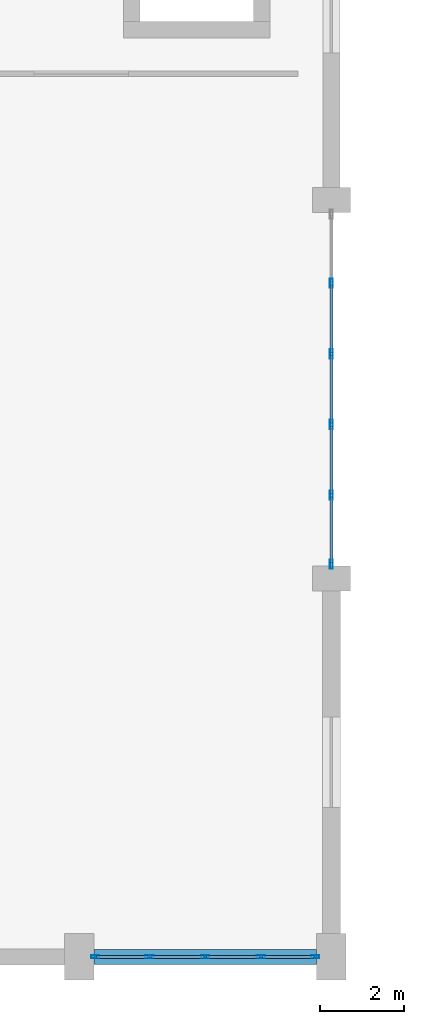
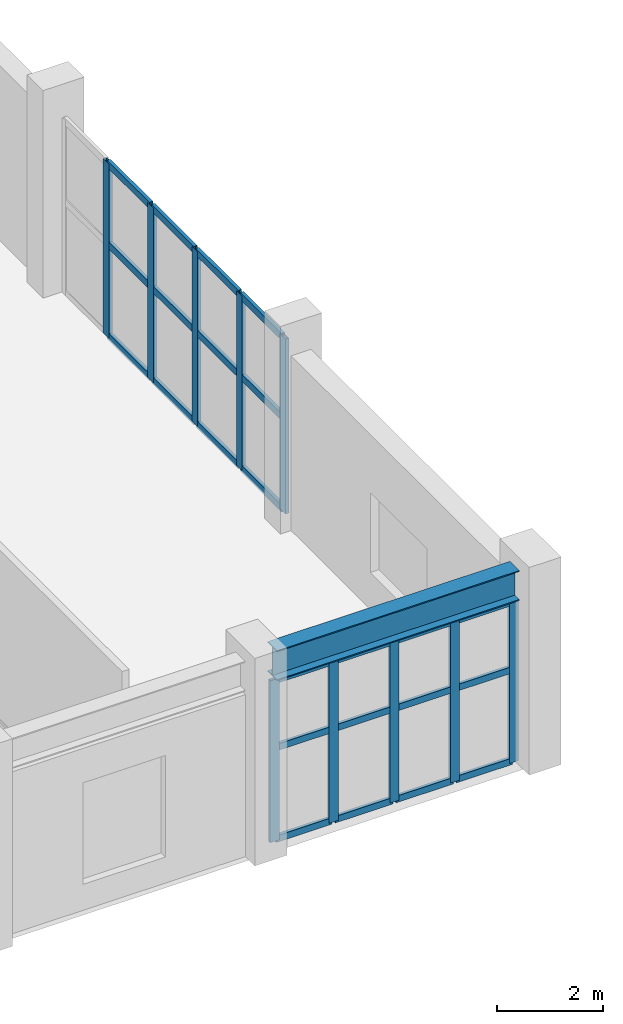
# One storey, part 15 of 62: 34 members, 1 beam, 2 elements without a shape of their own.
"""IFC4 building model written with IfcOpenShell, lengths in metres."""

from ifc_helpers import new_model, si_unit, direction, frame, origin, origin_2d, place, context, subcontext, project, spatial, hollow_rectangle, i_section, extrude, material, layer, layer_set, material_profile, profile_set, type_object, element, aggregate, save


model = new_model("IFC4")

# Units and contexts
model_context = context("Model", 3, precision=1e-05, world=origin(), true_north=direction((0.0, 1.0)))
body_context = subcontext(model_context, "Body", "Model", "MODEL_VIEW")
ifc_project = project(units=[si_unit("LENGTHUNIT", "METRE"), si_unit("AREAUNIT", "SQUARE_METRE"), si_unit("VOLUMEUNIT", "CUBIC_METRE"), si_unit("PLANEANGLEUNIT", "RADIAN"), si_unit("MASSUNIT", "GRAM", prefix="KILO")], contexts=[model_context])

# Site, building, storey
site_placement = place(None, origin())
site = spatial("IfcSite", under=ifc_project, at=site_placement, CompositionType="ELEMENT")
building_placement = place(site_placement, origin())
building = spatial("IfcBuilding", under=site, at=building_placement, Name="Vaelkrest Opera House", CompositionType="ELEMENT")
storey_placement = place(building_placement, frame((0.0, 0.0, 19.800048828125)))
storey = spatial("IfcBuildingStorey", under=building, at=storey_placement, Name="L04", CompositionType="ELEMENT", Elevation=19.800048828125)

# Curtain wall, members
ifc_material_1 = material(Name="Dark bronze anodized aluminium", Category="aluminium")
ifc_layer_1 = layer(ifc_material_1, 0.18994140625)
ifc_layer_set_1 = layer_set([ifc_layer_1], Name="Dark bronze anodized aluminium")
curtain_wall_type_1 = type_object("IfcCurtainWallType", Name="CW02", PredefinedType="NOTDEFINED", material=ifc_layer_set_1)
curtain_wall_1_placement = place(storey_placement, origin())
curtain_wall_1 = element("IfcCurtainWall", 1, at=curtain_wall_1_placement, inside=storey, type_object=curtain_wall_type_1, Name="Curtain wall CW-L04-055", PredefinedType="NOTDEFINED")
ifc_material_profile_1 = material_profile(ifc_material_1, hollow_rectangle(XDim=0.070068359375, YDim=0.199951171875, WallThickness=0.004150390625, at=origin_2d()), Name="CWM70X200")
ifc_profile_set_1 = profile_set([ifc_material_profile_1], Name="Dark bronze anodized aluminium")
member_type_1 = type_object("IfcMemberType", Name="CWM02", PredefinedType="MULLION", material=ifc_profile_set_1)
member_1_placement = place(storey_placement, frame((29.616943359375, -55.800048828125, 0.0), z_axis=(0.0, 0.0, 1.0), x_axis=(0.0, -1.0, 0.0)))
member_1 = element("IfcMember", 2, at=member_1_placement, type_object=member_type_1, Name="CW02 mullion 1", PredefinedType="MULLION", context=body_context, shape_type="SweptSolid", body=[
    extrude(hollow_rectangle(XDim=0.070068359375, YDim=0.199951171875, WallThickness=0.004150390625, at=origin_2d()), origin(), (0.0, 0.0, 1.0), 3.744873046875),
])
member_2_placement = place(storey_placement, frame((28.325927734375, -55.800048828125, 0.0), z_axis=(0.0, 0.0, 1.0), x_axis=(0.0, -1.0, 0.0)))
member_2 = element("IfcMember", 3, at=member_2_placement, type_object=member_type_1, Name="CW02 mullion 2", PredefinedType="MULLION", context=body_context, shape_type="SweptSolid", body=[
    extrude(hollow_rectangle(XDim=0.070068359375, YDim=0.199951171875, WallThickness=0.004150390625, at=origin_2d()), origin(), (0.0, 0.0, 1.0), 3.744873046875),
])
member_3_placement = place(storey_placement, frame((27.0, -55.800048828125, 0.0), z_axis=(0.0, 0.0, 1.0), x_axis=(0.0, -1.0, 0.0)))
member_3 = element("IfcMember", 4, at=member_3_placement, type_object=member_type_1, Name="CW02 mullion 3", PredefinedType="MULLION", context=body_context, shape_type="SweptSolid", body=[
    extrude(hollow_rectangle(XDim=0.070068359375, YDim=0.199951171875, WallThickness=0.004150390625, at=origin_2d()), origin(), (0.0, 0.0, 1.0), 3.744873046875),
])
member_4_placement = place(storey_placement, frame((25.674072265625, -55.800048828125, 0.0), z_axis=(0.0, 0.0, 1.0), x_axis=(0.0, -1.0, 0.0)))
member_4 = element("IfcMember", 5, at=member_4_placement, type_object=member_type_1, Name="CW02 mullion 4", PredefinedType="MULLION", context=body_context, shape_type="SweptSolid", body=[
    extrude(hollow_rectangle(XDim=0.070068359375, YDim=0.199951171875, WallThickness=0.004150390625, at=origin_2d()), origin(), (0.0, 0.0, 1.0), 3.744873046875),
])
member_5_placement = place(storey_placement, frame((24.383056640625, -55.800048828125, 0.0), z_axis=(0.0, 0.0, 1.0), x_axis=(0.0, -1.0, 0.0)))
member_5 = element("IfcMember", 6, at=member_5_placement, type_object=member_type_1, Name="CW02 mullion 5", PredefinedType="MULLION", context=body_context, shape_type="SweptSolid", body=[
    extrude(hollow_rectangle(XDim=0.070068359375, YDim=0.199951171875, WallThickness=0.004150390625, at=origin_2d()), origin(), (0.0, 0.0, 1.0), 3.744873046875),
])

ifc_layer_2 = layer(ifc_material_1, 0.199951171875)
ifc_layer_set_2 = layer_set([ifc_layer_2], Name="Dark bronze anodized aluminium")
curtain_wall_type_2 = type_object("IfcCurtainWallType", Name="CW03", PredefinedType="NOTDEFINED", material=ifc_layer_set_2)
curtain_wall_2_placement = place(storey_placement, origin())
curtain_wall_2 = element("IfcCurtainWall", 7, at=curtain_wall_2_placement, inside=storey, type_object=curtain_wall_type_2, Name="Curtain wall CW-L04-067", PredefinedType="NOTDEFINED")
ifc_material_profile_2 = material_profile(ifc_material_1, hollow_rectangle(XDim=0.074951171875, YDim=0.219970703125, WallThickness=0.00439453125, at=origin_2d()), Name="CWM75X220")
ifc_profile_set_2 = profile_set([ifc_material_profile_2], Name="Dark bronze anodized aluminium")
member_type_2 = type_object("IfcMemberType", Name="CWM03", PredefinedType="MULLION", material=ifc_profile_set_2)
member_6_placement = place(storey_placement, frame((30.0, -39.77880859375, 0.0), z_axis=(0.0, 0.0, 1.0), x_axis=(1.0, 0.0, 0.0)))
member_6 = element("IfcMember", 8, at=member_6_placement, type_object=member_type_2, Name="CW03 mullion 2", PredefinedType="MULLION", context=body_context, shape_type="SweptSolid", body=[
    extrude(hollow_rectangle(XDim=0.074951171875, YDim=0.219970703125, WallThickness=0.00439453125, at=origin_2d()), origin(), (0.0, 0.0, 1.0), 4.04296875),
])
member_7_placement = place(storey_placement, frame((30.0, -41.459716796875, 0.0), z_axis=(0.0, 0.0, 1.0), x_axis=(1.0, 0.0, 0.0)))
member_7 = element("IfcMember", 9, at=member_7_placement, type_object=member_type_2, Name="CW03 mullion 3", PredefinedType="MULLION", context=body_context, shape_type="SweptSolid", body=[
    extrude(hollow_rectangle(XDim=0.074951171875, YDim=0.219970703125, WallThickness=0.00439453125, at=origin_2d()), origin(), (0.0, 0.0, 1.0), 4.04296875),
])
member_8_placement = place(storey_placement, frame((30.0, -43.140380859375, 0.0), z_axis=(0.0, 0.0, 1.0), x_axis=(1.0, 0.0, 0.0)))
member_8 = element("IfcMember", 10, at=member_8_placement, type_object=member_type_2, Name="CW03 mullion 4", PredefinedType="MULLION", context=body_context, shape_type="SweptSolid", body=[
    extrude(hollow_rectangle(XDim=0.074951171875, YDim=0.219970703125, WallThickness=0.00439453125, at=origin_2d()), origin(), (0.0, 0.0, 1.0), 4.04296875),
])
member_9_placement = place(storey_placement, frame((30.0, -44.8212890625, 0.0), z_axis=(0.0, 0.0, 1.0), x_axis=(1.0, 0.0, 0.0)))
member_9 = element("IfcMember", 11, at=member_9_placement, type_object=member_type_2, Name="CW03 mullion 5", PredefinedType="MULLION", context=body_context, shape_type="SweptSolid", body=[
    extrude(hollow_rectangle(XDim=0.074951171875, YDim=0.219970703125, WallThickness=0.00439453125, at=origin_2d()), origin(), (0.0, 0.0, 1.0), 4.04296875),
])
member_10_placement = place(storey_placement, frame((30.0, -46.464599609375, 0.0), z_axis=(0.0, 0.0, 1.0), x_axis=(1.0, 0.0, 0.0)))
member_10 = element("IfcMember", 12, at=member_10_placement, type_object=member_type_2, Name="CW03 mullion 6", PredefinedType="MULLION", context=body_context, shape_type="SweptSolid", body=[
    extrude(hollow_rectangle(XDim=0.074951171875, YDim=0.219970703125, WallThickness=0.00439453125, at=origin_2d()), origin(), (0.0, 0.0, 1.0), 4.04296875),
])

# Member
ifc_material_profile_3 = material_profile(ifc_material_1, hollow_rectangle(XDim=0.070068359375, YDim=0.14990234375, WallThickness=0.004150390625, at=origin_2d()), Name="CWT70X150")
ifc_profile_set_3 = profile_set([ifc_material_profile_3], Name="Dark bronze anodized aluminium")
member_type_3 = type_object("IfcMemberType", Name="CWT02", PredefinedType="USERDEFINED", material=ifc_profile_set_3)
member_11_placement = place(storey_placement, frame((29.58203125, -55.800048828125, 0.034912109375), z_axis=(-1.0, 0.0, 0.0), x_axis=(0.0, -1.0, 0.0)))
member_11 = element("IfcMember", 13, at=member_11_placement, type_object=member_type_3, Name="CW02 transom 1.1", ObjectType="TRANSOM", PredefinedType="USERDEFINED", context=body_context, shape_type="SweptSolid", body=[
    extrude(hollow_rectangle(XDim=0.070068359375, YDim=0.14990234375, WallThickness=0.004150390625, at=origin_2d()), origin(), (0.0, 0.0, 1.0), 1.220947265625),
])

member_12_placement = place(storey_placement, frame((29.58203125, -55.800048828125, 2.14990234375), z_axis=(-1.0, 0.0, 0.0), x_axis=(0.0, -1.0, 0.0)))
member_12 = element("IfcMember", 14, at=member_12_placement, type_object=member_type_3, Name="CW02 transom 1.2", ObjectType="TRANSOM", PredefinedType="USERDEFINED", context=body_context, shape_type="SweptSolid", body=[
    extrude(hollow_rectangle(XDim=0.070068359375, YDim=0.14990234375, WallThickness=0.004150390625, at=origin_2d()), origin(), (0.0, 0.0, 1.0), 1.220947265625),
])

member_13_placement = place(storey_placement, frame((29.58203125, -55.800048828125, 3.7099609375), z_axis=(-1.0, 0.0, 0.0), x_axis=(0.0, -1.0, 0.0)))
member_13 = element("IfcMember", 15, at=member_13_placement, type_object=member_type_3, Name="CW02 transom 1.3", ObjectType="TRANSOM", PredefinedType="USERDEFINED", context=body_context, shape_type="SweptSolid", body=[
    extrude(hollow_rectangle(XDim=0.070068359375, YDim=0.14990234375, WallThickness=0.004150390625, at=origin_2d()), origin(), (0.0, 0.0, 1.0), 1.220947265625),
])

member_14_placement = place(storey_placement, frame((28.291015625, -55.800048828125, 0.034912109375), z_axis=(-1.0, 0.0, 0.0), x_axis=(0.0, -1.0, 0.0)))
member_14 = element("IfcMember", 16, at=member_14_placement, type_object=member_type_3, Name="CW02 transom 2.1", ObjectType="TRANSOM", PredefinedType="USERDEFINED", context=body_context, shape_type="SweptSolid", body=[
    extrude(hollow_rectangle(XDim=0.070068359375, YDim=0.14990234375, WallThickness=0.004150390625, at=origin_2d()), origin(), (0.0, 0.0, 1.0), 1.256103515625),
])

member_15_placement = place(storey_placement, frame((28.291015625, -55.800048828125, 2.14990234375), z_axis=(-1.0, 0.0, 0.0), x_axis=(0.0, -1.0, 0.0)))
member_15 = element("IfcMember", 17, at=member_15_placement, type_object=member_type_3, Name="CW02 transom 2.2", ObjectType="TRANSOM", PredefinedType="USERDEFINED", context=body_context, shape_type="SweptSolid", body=[
    extrude(hollow_rectangle(XDim=0.070068359375, YDim=0.14990234375, WallThickness=0.004150390625, at=origin_2d()), origin(), (0.0, 0.0, 1.0), 1.256103515625),
])

member_16_placement = place(storey_placement, frame((28.291015625, -55.800048828125, 3.7099609375), z_axis=(-1.0, 0.0, 0.0), x_axis=(0.0, -1.0, 0.0)))
member_16 = element("IfcMember", 18, at=member_16_placement, type_object=member_type_3, Name="CW02 transom 2.3", ObjectType="TRANSOM", PredefinedType="USERDEFINED", context=body_context, shape_type="SweptSolid", body=[
    extrude(hollow_rectangle(XDim=0.070068359375, YDim=0.14990234375, WallThickness=0.004150390625, at=origin_2d()), origin(), (0.0, 0.0, 1.0), 1.256103515625),
])

member_17_placement = place(storey_placement, frame((26.965087890625, -55.800048828125, 0.034912109375), z_axis=(-1.0, 0.0, 0.0), x_axis=(0.0, -1.0, 0.0)))
member_17 = element("IfcMember", 19, at=member_17_placement, type_object=member_type_3, Name="CW02 transom 3.1", ObjectType="TRANSOM", PredefinedType="USERDEFINED", context=body_context, shape_type="SweptSolid", body=[
    extrude(hollow_rectangle(XDim=0.070068359375, YDim=0.14990234375, WallThickness=0.004150390625, at=origin_2d()), origin(), (0.0, 0.0, 1.0), 1.256103515625),
])

member_18_placement = place(storey_placement, frame((26.965087890625, -55.800048828125, 2.14990234375), z_axis=(-1.0, 0.0, 0.0), x_axis=(0.0, -1.0, 0.0)))
member_18 = element("IfcMember", 20, at=member_18_placement, type_object=member_type_3, Name="CW02 transom 3.2", ObjectType="TRANSOM", PredefinedType="USERDEFINED", context=body_context, shape_type="SweptSolid", body=[
    extrude(hollow_rectangle(XDim=0.070068359375, YDim=0.14990234375, WallThickness=0.004150390625, at=origin_2d()), origin(), (0.0, 0.0, 1.0), 1.256103515625),
])

member_19_placement = place(storey_placement, frame((26.965087890625, -55.800048828125, 3.7099609375), z_axis=(-1.0, 0.0, 0.0), x_axis=(0.0, -1.0, 0.0)))
member_19 = element("IfcMember", 21, at=member_19_placement, type_object=member_type_3, Name="CW02 transom 3.3", ObjectType="TRANSOM", PredefinedType="USERDEFINED", context=body_context, shape_type="SweptSolid", body=[
    extrude(hollow_rectangle(XDim=0.070068359375, YDim=0.14990234375, WallThickness=0.004150390625, at=origin_2d()), origin(), (0.0, 0.0, 1.0), 1.256103515625),
])

member_20_placement = place(storey_placement, frame((25.638916015625, -55.800048828125, 0.034912109375), z_axis=(-1.0, 0.0, 0.0), x_axis=(0.0, -1.0, 0.0)))
member_20 = element("IfcMember", 22, at=member_20_placement, type_object=member_type_3, Name="CW02 transom 4.1", ObjectType="TRANSOM", PredefinedType="USERDEFINED", context=body_context, shape_type="SweptSolid", body=[
    extrude(hollow_rectangle(XDim=0.070068359375, YDim=0.14990234375, WallThickness=0.004150390625, at=origin_2d()), origin(), (0.0, 0.0, 1.0), 1.220947265625),
])

member_21_placement = place(storey_placement, frame((25.638916015625, -55.800048828125, 2.14990234375), z_axis=(-1.0, 0.0, 0.0), x_axis=(0.0, -1.0, 0.0)))
member_21 = element("IfcMember", 23, at=member_21_placement, type_object=member_type_3, Name="CW02 transom 4.2", ObjectType="TRANSOM", PredefinedType="USERDEFINED", context=body_context, shape_type="SweptSolid", body=[
    extrude(hollow_rectangle(XDim=0.070068359375, YDim=0.14990234375, WallThickness=0.004150390625, at=origin_2d()), origin(), (0.0, 0.0, 1.0), 1.220947265625),
])

member_22_placement = place(storey_placement, frame((25.638916015625, -55.800048828125, 3.7099609375), z_axis=(-1.0, 0.0, 0.0), x_axis=(0.0, -1.0, 0.0)))
member_22 = element("IfcMember", 24, at=member_22_placement, type_object=member_type_3, Name="CW02 transom 4.3", ObjectType="TRANSOM", PredefinedType="USERDEFINED", context=body_context, shape_type="SweptSolid", body=[
    extrude(hollow_rectangle(XDim=0.070068359375, YDim=0.14990234375, WallThickness=0.004150390625, at=origin_2d()), origin(), (0.0, 0.0, 1.0), 1.220947265625),
])

aggregate(curtain_wall_1, [member_1, member_2, member_3, member_4, member_5, member_11, member_12, member_13, member_14, member_15, member_16, member_17, member_18, member_19, member_20, member_21, member_22])

ifc_material_profile_4 = material_profile(ifc_material_1, hollow_rectangle(XDim=0.074951171875, YDim=0.159912109375, WallThickness=0.00439453125, at=origin_2d()), Name="CWT75X160")
ifc_profile_set_4 = profile_set([ifc_material_profile_4], Name="Dark bronze anodized aluminium")
member_type_4 = type_object("IfcMemberType", Name="CWT03", PredefinedType="USERDEFINED", material=ifc_profile_set_4)
member_23_placement = place(storey_placement, frame((30.0, -39.81640625, 0.037353515625), z_axis=(0.0, -1.0, 0.0), x_axis=(1.0, 0.0, 0.0)))
member_23 = element("IfcMember", 25, at=member_23_placement, type_object=member_type_4, Name="CW03 transom 2.1", ObjectType="TRANSOM", PredefinedType="USERDEFINED", context=body_context, shape_type="SweptSolid", body=[
    extrude(hollow_rectangle(XDim=0.074951171875, YDim=0.159912109375, WallThickness=0.00439453125, at=origin_2d()), origin(), (0.0, 0.0, 1.0), 1.605712890625),
])

member_24_placement = place(storey_placement, frame((30.0, -39.81640625, 2.14990234375), z_axis=(0.0, -1.0, 0.0), x_axis=(1.0, 0.0, 0.0)))
member_24 = element("IfcMember", 26, at=member_24_placement, type_object=member_type_4, Name="CW03 transom 2.2", ObjectType="TRANSOM", PredefinedType="USERDEFINED", context=body_context, shape_type="SweptSolid", body=[
    extrude(hollow_rectangle(XDim=0.074951171875, YDim=0.159912109375, WallThickness=0.00439453125, at=origin_2d()), origin(), (0.0, 0.0, 1.0), 1.605712890625),
])

member_25_placement = place(storey_placement, frame((30.0, -39.81640625, 4.00537109375), z_axis=(0.0, -1.0, 0.0), x_axis=(1.0, 0.0, 0.0)))
member_25 = element("IfcMember", 27, at=member_25_placement, type_object=member_type_4, Name="CW03 transom 2.3", ObjectType="TRANSOM", PredefinedType="USERDEFINED", context=body_context, shape_type="SweptSolid", body=[
    extrude(hollow_rectangle(XDim=0.074951171875, YDim=0.159912109375, WallThickness=0.00439453125, at=origin_2d()), origin(), (0.0, 0.0, 1.0), 1.605712890625),
])

member_26_placement = place(storey_placement, frame((30.0, -41.4970703125, 0.037353515625), z_axis=(0.0, -1.0, 0.0), x_axis=(1.0, 0.0, 0.0)))
member_26 = element("IfcMember", 28, at=member_26_placement, type_object=member_type_4, Name="CW03 transom 3.1", ObjectType="TRANSOM", PredefinedType="USERDEFINED", context=body_context, shape_type="SweptSolid", body=[
    extrude(hollow_rectangle(XDim=0.074951171875, YDim=0.159912109375, WallThickness=0.00439453125, at=origin_2d()), origin(), (0.0, 0.0, 1.0), 1.605712890625),
])

member_27_placement = place(storey_placement, frame((30.0, -41.4970703125, 2.14990234375), z_axis=(0.0, -1.0, 0.0), x_axis=(1.0, 0.0, 0.0)))
member_27 = element("IfcMember", 29, at=member_27_placement, type_object=member_type_4, Name="CW03 transom 3.2", ObjectType="TRANSOM", PredefinedType="USERDEFINED", context=body_context, shape_type="SweptSolid", body=[
    extrude(hollow_rectangle(XDim=0.074951171875, YDim=0.159912109375, WallThickness=0.00439453125, at=origin_2d()), origin(), (0.0, 0.0, 1.0), 1.605712890625),
])

member_28_placement = place(storey_placement, frame((30.0, -41.4970703125, 4.00537109375), z_axis=(0.0, -1.0, 0.0), x_axis=(1.0, 0.0, 0.0)))
member_28 = element("IfcMember", 30, at=member_28_placement, type_object=member_type_4, Name="CW03 transom 3.3", ObjectType="TRANSOM", PredefinedType="USERDEFINED", context=body_context, shape_type="SweptSolid", body=[
    extrude(hollow_rectangle(XDim=0.074951171875, YDim=0.159912109375, WallThickness=0.00439453125, at=origin_2d()), origin(), (0.0, 0.0, 1.0), 1.605712890625),
])

member_29_placement = place(storey_placement, frame((30.0, -43.177978515625, 0.037353515625), z_axis=(0.0, -1.0, 0.0), x_axis=(1.0, 0.0, 0.0)))
member_29 = element("IfcMember", 31, at=member_29_placement, type_object=member_type_4, Name="CW03 transom 4.1", ObjectType="TRANSOM", PredefinedType="USERDEFINED", context=body_context, shape_type="SweptSolid", body=[
    extrude(hollow_rectangle(XDim=0.074951171875, YDim=0.159912109375, WallThickness=0.00439453125, at=origin_2d()), origin(), (0.0, 0.0, 1.0), 1.605712890625),
])

member_30_placement = place(storey_placement, frame((30.0, -43.177978515625, 2.14990234375), z_axis=(0.0, -1.0, 0.0), x_axis=(1.0, 0.0, 0.0)))
member_30 = element("IfcMember", 32, at=member_30_placement, type_object=member_type_4, Name="CW03 transom 4.2", ObjectType="TRANSOM", PredefinedType="USERDEFINED", context=body_context, shape_type="SweptSolid", body=[
    extrude(hollow_rectangle(XDim=0.074951171875, YDim=0.159912109375, WallThickness=0.00439453125, at=origin_2d()), origin(), (0.0, 0.0, 1.0), 1.605712890625),
])

member_31_placement = place(storey_placement, frame((30.0, -43.177978515625, 4.00537109375), z_axis=(0.0, -1.0, 0.0), x_axis=(1.0, 0.0, 0.0)))
member_31 = element("IfcMember", 33, at=member_31_placement, type_object=member_type_4, Name="CW03 transom 4.3", ObjectType="TRANSOM", PredefinedType="USERDEFINED", context=body_context, shape_type="SweptSolid", body=[
    extrude(hollow_rectangle(XDim=0.074951171875, YDim=0.159912109375, WallThickness=0.00439453125, at=origin_2d()), origin(), (0.0, 0.0, 1.0), 1.605712890625),
])

member_32_placement = place(storey_placement, frame((30.0, -44.858642578125, 0.037353515625), z_axis=(0.0, -1.0, 0.0), x_axis=(1.0, 0.0, 0.0)))
member_32 = element("IfcMember", 34, at=member_32_placement, type_object=member_type_4, Name="CW03 transom 5.1", ObjectType="TRANSOM", PredefinedType="USERDEFINED", context=body_context, shape_type="SweptSolid", body=[
    extrude(hollow_rectangle(XDim=0.074951171875, YDim=0.159912109375, WallThickness=0.00439453125, at=origin_2d()), origin(), (0.0, 0.0, 1.0), 1.568359375),
])

member_33_placement = place(storey_placement, frame((30.0, -44.858642578125, 2.14990234375), z_axis=(0.0, -1.0, 0.0), x_axis=(1.0, 0.0, 0.0)))
member_33 = element("IfcMember", 35, at=member_33_placement, type_object=member_type_4, Name="CW03 transom 5.2", ObjectType="TRANSOM", PredefinedType="USERDEFINED", context=body_context, shape_type="SweptSolid", body=[
    extrude(hollow_rectangle(XDim=0.074951171875, YDim=0.159912109375, WallThickness=0.00439453125, at=origin_2d()), origin(), (0.0, 0.0, 1.0), 1.568359375),
])

member_34_placement = place(storey_placement, frame((30.0, -44.858642578125, 4.00537109375), z_axis=(0.0, -1.0, 0.0), x_axis=(1.0, 0.0, 0.0)))
member_34 = element("IfcMember", 36, at=member_34_placement, type_object=member_type_4, Name="CW03 transom 5.3", ObjectType="TRANSOM", PredefinedType="USERDEFINED", context=body_context, shape_type="SweptSolid", body=[
    extrude(hollow_rectangle(XDim=0.074951171875, YDim=0.159912109375, WallThickness=0.00439453125, at=origin_2d()), origin(), (0.0, 0.0, 1.0), 1.568359375),
])

aggregate(curtain_wall_2, [member_6, member_7, member_8, member_9, member_10, member_23, member_24, member_25, member_26, member_27, member_28, member_29, member_30, member_31, member_32, member_33, member_34])

# Beam
ifc_material_2 = material(Name="Steel A992 Gr50", Category="steel")
ifc_material_profile_5 = material_profile(ifc_material_2, i_section(OverallWidth=0.35498046875, OverallDepth=0.695068359375, WebThickness=0.015380859375, FlangeThickness=0.02490234375, at=origin_2d()), Name="W27X146")
ifc_profile_set_5 = profile_set([ifc_material_profile_5], Name="Steel A992 Gr50")
beam_type = type_object("IfcBeamType", Name="SP02", PredefinedType="SPANDREL", material=ifc_profile_set_5)
beam_placement = place(storey_placement, frame((24.35009765625, -55.800048828125, 4.157470703125), z_axis=(1.0, 0.0, 0.0), x_axis=(0.0, 1.0, 0.0)))
element("IfcBeam", 37, at=beam_placement, inside=storey, type_object=beam_type, Name="Beam BM-V1-L04-0538", PredefinedType="SPANDREL", context=body_context, shape_type="SweptSolid", body=[
    extrude(i_section(OverallWidth=0.35498046875, OverallDepth=0.695068359375, WebThickness=0.015380859375, FlangeThickness=0.02490234375, at=origin_2d()), origin(), (0.0, 0.0, 1.0), 5.2998046875),
])

save(model, "model.ifc")
